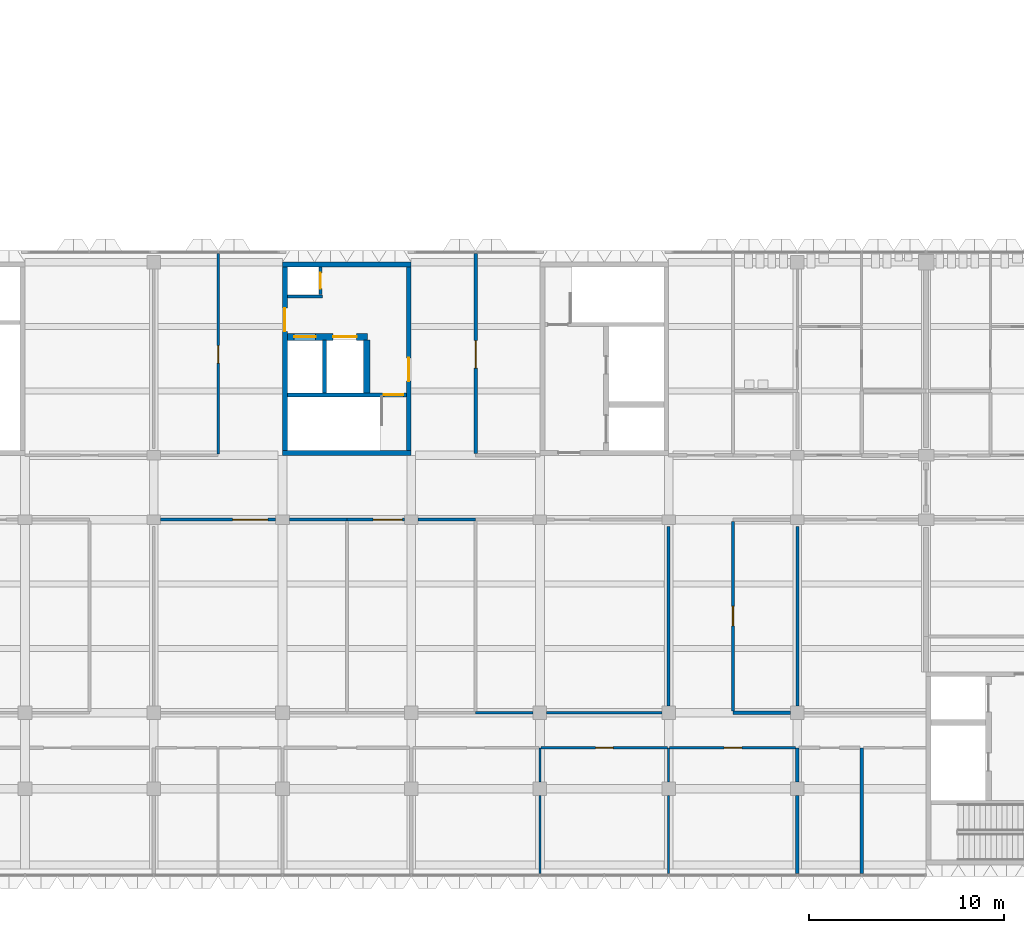
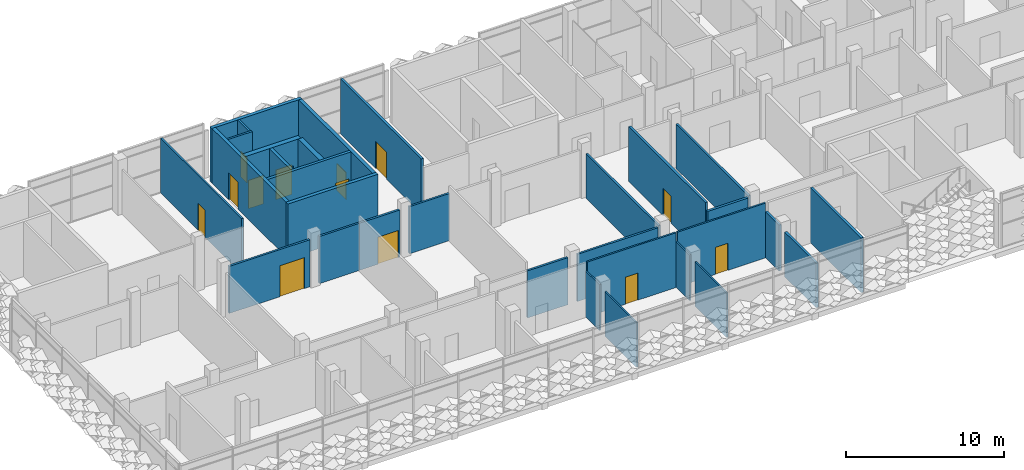
# One storey, part 19 of 61: 31 walls, 13 doors, 13 openings.
"""IFC4 building model written with IfcOpenShell, lengths in metres."""

from ifc_helpers import new_model, si_unit, direction, frame, frame_2d, origin, place, context, subcontext, project, spatial, rectangle, extrude, material, layer, layer_set, type_object, element, fill, save


model = new_model("IFC4")

# Units and contexts
model_context = context("Model", 3, precision=1e-05, world=origin(), true_north=direction((0.0, 1.0)))
body_context = subcontext(model_context, "Body", "Model", "MODEL_VIEW")
ifc_project = project(units=[si_unit("LENGTHUNIT", "METRE"), si_unit("AREAUNIT", "SQUARE_METRE"), si_unit("VOLUMEUNIT", "CUBIC_METRE"), si_unit("PLANEANGLEUNIT", "RADIAN"), si_unit("MASSUNIT", "GRAM", prefix="KILO")], contexts=[model_context])

# Site, building, storey
site_placement = place(None, origin())
site = spatial("IfcSite", under=ifc_project, at=site_placement, CompositionType="ELEMENT")
building_placement = place(site_placement, origin())
building = spatial("IfcBuilding", under=site, at=building_placement, Name="Lantern Court Research Institute", CompositionType="ELEMENT")
storey_placement = place(building_placement, frame((0.0, 0.0, 23.39990234375)))
storey = spatial("IfcBuildingStorey", under=building, at=storey_placement, Name="L05", CompositionType="ELEMENT", Elevation=23.39990234375)

# Wall, opening, door
ifc_material_1 = material(Name="Double-stud acoustic gypsum board partition, mineral wool filled")
ifc_layer_1 = layer(ifc_material_1, 0.175048828125)
ifc_layer_set_1 = layer_set([ifc_layer_1], Name="Double-stud acoustic gypsum board partition, mineral wool filled")
wall_type_1 = type_object("IfcWallType", Name="Acoustic partition 175 EI 60", PredefinedType="PARTITIONING", material=ifc_layer_set_1)
wall_1_placement = place(storey_placement, frame((29.699951171875, 23.550048828125, 0.0), z_axis=(0.0, 0.0, 1.0), x_axis=(0.0, -1.0, 0.0)))
wall_1 = element("IfcWall", 1, at=wall_1_placement, inside=storey, type_object=wall_type_1, Name="Acoustic partition 175 EI 60", PredefinedType="PARTITIONING", context=body_context, shape_type="SweptSolid", body=[
    extrude(rectangle(XDim=10.262451171875, YDim=0.175048828125, at=frame_2d((5.13134765625, 0.0))), origin(), (0.0, 0.0, 1.0), 4.25),
])
opening_1_placement = place(wall_1_placement, frame((4.47509765625, 0.0, 0.0)))
opening_1 = element("IfcOpeningElement", 2, at=opening_1_placement, cuts=wall_1, Name="Opening D4504", PredefinedType="OPENING", context=body_context, shape_type="SweptSolid", body=[
    extrude(rectangle(XDim=1.39990234375, YDim=2.10009765625, at=frame_2d((0.699951171875, 1.050048828125))), frame((0.0, 0.097412109375, 0.0), z_axis=(0.0, -1.0, 0.0), x_axis=(1.0, 0.0, 0.0)), (0.0, 0.0, 1.0), 0.195068359375),
])
ifc_material_2 = material(Name="Solid-core timber door leaf", Category="wood")
ifc_layer_2 = layer(ifc_material_2, 0.053955078125)
ifc_layer_set_2 = layer_set([ifc_layer_2], Name="Solid-core timber door leaf")
door_type_1 = type_object("IfcDoorType", Name="Seminar room door 1400 x 2100 pair FD30S", OperationType="DOUBLE_DOOR_SINGLE_SWING", PredefinedType="DOOR", material=ifc_layer_set_2)
door_1_placement = place(opening_1_placement, origin())
door_1 = element("IfcDoor", 3, at=door_1_placement, inside=storey, type_object=door_type_1, Name="Door D4504", OperationType="DOUBLE_DOOR_SINGLE_SWING", OverallHeight=2.10009765625, OverallWidth=1.39990234375, PredefinedType="DOOR", context=body_context, shape_type="SweptSolid", body=[
    extrude(rectangle(XDim=1.39990234375, YDim=2.10009765625, at=frame_2d((0.699951171875, 1.050048828125))), frame((0.0, 0.02685546875, 0.0), z_axis=(0.0, -1.0, 0.0), x_axis=(1.0, 0.0, 0.0)), (0.0, 0.0, 1.0), 0.053955078125),
])
fill(opening_1, door_1)

# Walls
wall_2_placement = place(storey_placement, frame((46.199951171875, -8.25, 0.0), z_axis=(0.0, 0.0, 1.0), x_axis=(0.0, 1.0, 0.0)))
element("IfcWall", 4, at=wall_2_placement, inside=storey, type_object=wall_type_1, Name="Acoustic partition 175 EI 60", PredefinedType="PARTITIONING", context=body_context, shape_type="SweptSolid", body=[
    extrude(rectangle(XDim=4.0, YDim=0.175048828125, at=frame_2d((2.0, 0.0))), origin(), (0.0, 0.0, 1.0), 3.4501953125),
])
wall_3_placement = place(storey_placement, frame((46.199951171875, -3.550048828125, 0.0), z_axis=(0.0, 0.0, 1.0), x_axis=(0.0, 1.0, 0.0)))
element("IfcWall", 5, at=wall_3_placement, inside=storey, type_object=wall_type_1, Name="Acoustic partition 175 EI 60", PredefinedType="PARTITIONING", context=body_context, shape_type="SweptSolid", body=[
    extrude(rectangle(XDim=1.75, YDim=0.175048828125, at=frame_2d((0.875, 0.0))), origin(), (0.0, 0.0, 1.0), 3.550048828125),
])
wall_4_placement = place(storey_placement, frame((49.5, -8.25, 0.0), z_axis=(0.0, 0.0, 1.0), x_axis=(0.0, 1.0, 0.0)))
element("IfcWall", 6, at=wall_4_placement, inside=storey, type_object=wall_type_1, Name="Acoustic partition 175 EI 60", PredefinedType="PARTITIONING", context=body_context, shape_type="SweptSolid", body=[
    extrude(rectangle(XDim=6.449951171875, YDim=0.175048828125, at=frame_2d((3.22509765625, 0.0))), origin(), (0.0, 0.0, 1.0), 4.25),
])
wall_5_placement = place(storey_placement, frame((45.85009765625, 0.0, 0.0), z_axis=(0.0, 0.0, 1.0), x_axis=(-1.0, 0.0, 0.0)))
element("IfcWall", 7, at=wall_5_placement, inside=storey, type_object=wall_type_1, Name="Acoustic partition 175 EI 60", PredefinedType="PARTITIONING", context=body_context, shape_type="SweptSolid", body=[
    extrude(rectangle(XDim=2.9501953125, YDim=0.175048828125, at=frame_2d((1.47509765625, 0.0))), origin(), (0.0, 0.0, 1.0), 3.650146484375),
])

# Wall, opening, door
wall_6_placement = place(storey_placement, frame((42.89990234375, 9.8125, 0.0), z_axis=(0.0, 0.0, 1.0), x_axis=(0.0, -1.0, 0.0)))
wall_6 = element("IfcWall", 8, at=wall_6_placement, inside=storey, type_object=wall_type_1, Name="Acoustic partition 175 EI 60", PredefinedType="PARTITIONING", context=body_context, shape_type="SweptSolid", body=[
    extrude(rectangle(XDim=9.72509765625, YDim=0.175048828125, at=frame_2d((4.862548828125, 0.0))), origin(), (0.0, 0.0, 1.0), 4.25),
])
opening_2_placement = place(wall_6_placement, frame((4.362548828125, 0.0, 0.0)))
opening_2 = element("IfcOpeningElement", 9, at=opening_2_placement, cuts=wall_6, Name="Opening D4526", PredefinedType="OPENING", context=body_context, shape_type="SweptSolid", body=[
    extrude(rectangle(XDim=1.0, YDim=2.10009765625, at=frame_2d((0.5, 1.050048828125))), frame((0.0, 0.097412109375, 0.0), z_axis=(0.0, -1.0, 0.0), x_axis=(1.0, 0.0, 0.0)), (0.0, 0.0, 1.0), 0.195068359375),
])
ifc_material_3 = material(Name="Solid-core timber door leaf", Category="wood")
ifc_layer_3 = layer(ifc_material_3, 0.053955078125)
ifc_layer_set_3 = layer_set([ifc_layer_3], Name="Solid-core timber door leaf")
door_type_2 = type_object("IfcDoorType", Name="Meeting room door 1000 x 2100 single FD30S", OperationType="NOTDEFINED", PredefinedType="DOOR", material=ifc_layer_set_3)
door_2_placement = place(opening_2_placement, origin())
door_2 = element("IfcDoor", 10, at=door_2_placement, inside=storey, type_object=door_type_2, Name="Door D4526", OperationType="SINGLE_SWING_RIGHT", OverallHeight=2.10009765625, OverallWidth=1.0, PredefinedType="DOOR", context=body_context, shape_type="SweptSolid", body=[
    extrude(rectangle(XDim=1.0, YDim=2.10009765625, at=frame_2d((0.5, 1.050048828125))), frame((0.0, 0.02685546875, 0.0), z_axis=(0.0, -1.0, 0.0), x_axis=(1.0, 0.0, 0.0)), (0.0, 0.0, 1.0), 0.053955078125),
])
fill(opening_2, door_2)

ifc_material_4 = material(Name="Fire-rated gypsum board partition, mineral wool filled")
ifc_layer_4 = layer(ifc_material_4, 0.125)
ifc_layer_set_4 = layer_set([ifc_layer_4], Name="Fire-rated gypsum board partition, mineral wool filled")
wall_type_2 = type_object("IfcWallType", Name="Corridor partition 125 EI 60", PredefinedType="PARTITIONING", material=ifc_layer_set_4)
wall_7_placement = place(storey_placement, frame((16.5, 13.262451171875, 0.0), z_axis=(0.0, 0.0, 1.0), x_axis=(0.0, 1.0, 0.0)))
wall_7 = element("IfcWall", 11, at=wall_7_placement, inside=storey, type_object=wall_type_2, Name="Corridor partition 125 EI 60", PredefinedType="PARTITIONING", context=body_context, shape_type="SweptSolid", body=[
    extrude(rectangle(XDim=10.28759765625, YDim=0.125, at=frame_2d((5.143798828125, 0.0))), origin(), (0.0, 0.0, 1.0), 4.25),
])
opening_3_placement = place(wall_7_placement, frame((4.66259765625, 0.0, 0.0)))
opening_3 = element("IfcOpeningElement", 12, at=opening_3_placement, cuts=wall_7, Name="Opening D4503", PredefinedType="OPENING", context=body_context, shape_type="SweptSolid", body=[
    extrude(rectangle(XDim=0.89990234375, YDim=2.10009765625, at=frame_2d((0.449951171875, 1.050048828125))), frame((0.0, 0.072509765625, 0.0), z_axis=(0.0, -1.0, 0.0), x_axis=(1.0, 0.0, 0.0)), (0.0, 0.0, 1.0), 0.14501953125),
])
ifc_material_5 = material(Name="Solid-core timber door leaf", Category="wood")
ifc_layer_5 = layer(ifc_material_5, 0.053955078125)
ifc_layer_set_5 = layer_set([ifc_layer_5], Name="Solid-core timber door leaf")
door_type_3 = type_object("IfcDoorType", Name="Office door 900 x 2100 single FD30S", OperationType="NOTDEFINED", PredefinedType="DOOR", material=ifc_layer_set_5)
door_3_placement = place(opening_3_placement, origin())
door_3 = element("IfcDoor", 13, at=door_3_placement, inside=storey, type_object=door_type_3, Name="Door D4503", OperationType="SINGLE_SWING_LEFT", OverallHeight=2.10009765625, OverallWidth=0.89990234375, PredefinedType="DOOR", context=body_context, shape_type="SweptSolid", body=[
    extrude(rectangle(XDim=0.89990234375, YDim=2.10009765625, at=frame_2d((0.449951171875, 1.050048828125))), frame((0.0, 0.02685546875, 0.0), z_axis=(0.0, -1.0, 0.0), x_axis=(1.0, 0.0, 0.0)), (0.0, 0.0, 1.0), 0.053955078125),
])
fill(opening_3, door_3)

wall_8_placement = place(storey_placement, frame((39.544921875, -1.800048828125, 0.0), z_axis=(0.0, 0.0, 1.0), x_axis=(-1.0, 0.0, 0.0)))
wall_8 = element("IfcWall", 14, at=wall_8_placement, inside=storey, type_object=wall_type_2, Name="Corridor partition 125 EI 60", PredefinedType="PARTITIONING", context=body_context, shape_type="SweptSolid", body=[
    extrude(rectangle(XDim=6.489990234375, YDim=0.125, at=frame_2d((3.2451171875, 0.0))), origin(), (0.0, 0.0, 1.0), 4.25),
])
opening_4_placement = place(wall_8_placement, frame((2.794921875, 0.0, 0.0)))
opening_4 = element("IfcOpeningElement", 15, at=opening_4_placement, cuts=wall_8, Name="Opening D4518", PredefinedType="OPENING", context=body_context, shape_type="SweptSolid", body=[
    extrude(rectangle(XDim=0.89990234375, YDim=2.10009765625, at=frame_2d((0.449951171875, 1.050048828125))), frame((0.0, 0.072509765625, 0.0), z_axis=(0.0, -1.0, 0.0), x_axis=(1.0, 0.0, 0.0)), (0.0, 0.0, 1.0), 0.14501953125),
])
door_4_placement = place(opening_4_placement, origin())
door_4 = element("IfcDoor", 16, at=door_4_placement, inside=storey, type_object=door_type_3, Name="Door D4518", OperationType="SINGLE_SWING_LEFT", OverallHeight=2.10009765625, OverallWidth=0.89990234375, PredefinedType="DOOR", context=body_context, shape_type="SweptSolid", body=[
    extrude(rectangle(XDim=0.89990234375, YDim=2.10009765625, at=frame_2d((0.449951171875, 1.050048828125))), frame((0.0, 0.02685546875, 0.0), z_axis=(0.0, -1.0, 0.0), x_axis=(1.0, 0.0, 0.0)), (0.0, 0.0, 1.0), 0.053955078125),
])
fill(opening_4, door_4)

wall_9_placement = place(storey_placement, frame((46.112548828125, -1.800048828125, 0.0), z_axis=(0.0, 0.0, 1.0), x_axis=(-1.0, 0.0, 0.0)))
wall_9 = element("IfcWall", 17, at=wall_9_placement, inside=storey, type_object=wall_type_2, Name="Corridor partition 125 EI 60", PredefinedType="PARTITIONING", context=body_context, shape_type="SweptSolid", body=[
    extrude(rectangle(XDim=6.45751953125, YDim=0.125, at=frame_2d((3.228759765625, 0.0))), origin(), (0.0, 0.0, 1.0), 4.25),
])
opening_5_placement = place(wall_9_placement, frame((2.762451171875, 0.0, 0.0)))
opening_5 = element("IfcOpeningElement", 18, at=opening_5_placement, cuts=wall_9, Name="Opening D4519", PredefinedType="OPENING", context=body_context, shape_type="SweptSolid", body=[
    extrude(rectangle(XDim=0.89990234375, YDim=2.10009765625, at=frame_2d((0.449951171875, 1.050048828125))), frame((0.0, 0.072509765625, 0.0), z_axis=(0.0, -1.0, 0.0), x_axis=(1.0, 0.0, 0.0)), (0.0, 0.0, 1.0), 0.14501953125),
])
door_5_placement = place(opening_5_placement, origin())
door_5 = element("IfcDoor", 19, at=door_5_placement, inside=storey, type_object=door_type_3, Name="Door D4519", OperationType="SINGLE_SWING_LEFT", OverallHeight=2.10009765625, OverallWidth=0.89990234375, PredefinedType="DOOR", context=body_context, shape_type="SweptSolid", body=[
    extrude(rectangle(XDim=0.89990234375, YDim=2.10009765625, at=frame_2d((0.449951171875, 1.050048828125))), frame((0.0, 0.02685546875, 0.0), z_axis=(0.0, -1.0, 0.0), x_axis=(1.0, 0.0, 0.0)), (0.0, 0.0, 1.0), 0.053955078125),
])
fill(opening_5, door_5)

ifc_material_6 = material(Name="Fire-rated gypsum board partition, mineral wool filled")
ifc_layer_6 = layer(ifc_material_6, 0.14990234375)
ifc_layer_set_6 = layer_set([ifc_layer_6], Name="Fire-rated gypsum board partition, mineral wool filled")
wall_type_3 = type_object("IfcWallType", Name="Laboratory partition 150 EI 60", PredefinedType="PARTITIONING", material=ifc_layer_set_6)
wall_10_placement = place(storey_placement, frame((13.550048828125, 9.89990234375, 0.0), z_axis=(0.0, 0.0, 1.0), x_axis=(1.0, 0.0, 0.0)))
wall_10 = element("IfcWall", 20, at=wall_10_placement, inside=storey, type_object=wall_type_3, Name="Laboratory partition 150 EI 60", PredefinedType="PARTITIONING", context=body_context, shape_type="SweptSolid", body=[
    extrude(rectangle(XDim=5.89990234375, YDim=0.14990234375, at=frame_2d((2.949951171875, 0.0))), origin(), (0.0, 0.0, 1.0), 3.650146484375),
])
opening_6_placement = place(wall_10_placement, frame((3.699951171875, 0.0, 0.0)))
opening_6 = element("IfcOpeningElement", 21, at=opening_6_placement, cuts=wall_10, Name="Opening D4523", PredefinedType="OPENING", context=body_context, shape_type="SweptSolid", body=[
    extrude(rectangle(XDim=1.800048828125, YDim=2.39990234375, at=frame_2d((0.89990234375, 1.199951171875))), frame((0.0, 0.0849609375, 0.0), z_axis=(0.0, -1.0, 0.0), x_axis=(1.0, 0.0, 0.0)), (0.0, 0.0, 1.0), 0.169921875),
])
ifc_material_7 = material(Name="Solid-core timber door leaf with vision panel", Category="wood")
ifc_layer_7 = layer(ifc_material_7, 0.053955078125)
ifc_layer_set_7 = layer_set([ifc_layer_7], Name="Solid-core timber door leaf with vision panel")
door_type_4 = type_object("IfcDoorType", Name="Laboratory equipment door 1800 x 2400 pair FD30S", OperationType="DOUBLE_DOOR_SINGLE_SWING", PredefinedType="DOOR", material=ifc_layer_set_7)
door_6_placement = place(opening_6_placement, origin())
door_6 = element("IfcDoor", 22, at=door_6_placement, inside=storey, type_object=door_type_4, Name="Door D4523", OperationType="DOUBLE_DOOR_SINGLE_SWING", OverallHeight=2.39990234375, OverallWidth=1.800048828125, PredefinedType="DOOR", context=body_context, shape_type="SweptSolid", body=[
    extrude(rectangle(XDim=1.800048828125, YDim=2.39990234375, at=frame_2d((0.89990234375, 1.199951171875))), frame((0.0, 0.02685546875, 0.0), z_axis=(0.0, -1.0, 0.0), x_axis=(1.0, 0.0, 0.0)), (0.0, 0.0, 1.0), 0.053955078125),
])
fill(opening_6, door_6)

# Wall
wall_11_placement = place(storey_placement, frame((20.14990234375, 9.89990234375, 0.0), z_axis=(0.0, 0.0, 1.0), x_axis=(1.0, 0.0, 0.0)))
element("IfcWall", 23, at=wall_11_placement, inside=storey, type_object=wall_type_3, Name="Laboratory partition 150 EI 60", PredefinedType="PARTITIONING", context=body_context, shape_type="SweptSolid", body=[
    extrude(rectangle(XDim=2.9501953125, YDim=0.14990234375, at=frame_2d((1.47509765625, 0.0))), origin(), (0.0, 0.0, 1.0), 3.650146484375),
])

# Wall, opening, door
wall_12_placement = place(storey_placement, frame((23.10009765625, 9.89990234375, 0.0), z_axis=(0.0, 0.0, 1.0), x_axis=(1.0, 0.0, 0.0)))
wall_12 = element("IfcWall", 24, at=wall_12_placement, inside=storey, type_object=wall_type_3, Name="Laboratory partition 150 EI 60", PredefinedType="PARTITIONING", context=body_context, shape_type="SweptSolid", body=[
    extrude(rectangle(XDim=2.949951171875, YDim=0.14990234375, at=frame_2d((1.47509765625, 0.0))), origin(), (0.0, 0.0, 1.0), 3.650146484375),
])
opening_7_placement = place(wall_12_placement, frame((1.35009765625, 0.0, 0.0)))
opening_7 = element("IfcOpeningElement", 25, at=opening_7_placement, cuts=wall_12, Name="Opening D4524", PredefinedType="OPENING", context=body_context, shape_type="SweptSolid", body=[
    extrude(rectangle(XDim=1.5, YDim=2.10009765625, at=frame_2d((0.75, 1.050048828125))), frame((0.0, 0.0849609375, 0.0), z_axis=(0.0, -1.0, 0.0), x_axis=(1.0, 0.0, 0.0)), (0.0, 0.0, 1.0), 0.169921875),
])
ifc_material_8 = material(Name="Solid-core timber door leaf with vision panel", Category="wood")
ifc_layer_8 = layer(ifc_material_8, 0.053955078125)
ifc_layer_set_8 = layer_set([ifc_layer_8], Name="Solid-core timber door leaf with vision panel")
door_type_5 = type_object("IfcDoorType", Name="Laboratory double door 1500 x 2100 pair FD30S", OperationType="DOUBLE_DOOR_SINGLE_SWING", PredefinedType="DOOR", material=ifc_layer_set_8)
door_7_placement = place(opening_7_placement, origin())
door_7 = element("IfcDoor", 26, at=door_7_placement, inside=storey, type_object=door_type_5, Name="Door D4524", OperationType="DOUBLE_DOOR_SINGLE_SWING", OverallHeight=2.10009765625, OverallWidth=1.5, PredefinedType="DOOR", context=body_context, shape_type="SweptSolid", body=[
    extrude(rectangle(XDim=1.5, YDim=2.10009765625, at=frame_2d((0.75, 1.050048828125))), frame((0.0, 0.02685546875, 0.0), z_axis=(0.0, -1.0, 0.0), x_axis=(1.0, 0.0, 0.0)), (0.0, 0.0, 1.0), 0.053955078125),
])
fill(opening_7, door_7)

# Walls
wall_13_placement = place(storey_placement, frame((26.75, 9.89990234375, 0.0), z_axis=(0.0, 0.0, 1.0), x_axis=(1.0, 0.0, 0.0)))
element("IfcWall", 27, at=wall_13_placement, inside=storey, type_object=wall_type_3, Name="Laboratory partition 150 EI 60", PredefinedType="PARTITIONING", context=body_context, shape_type="SweptSolid", body=[
    extrude(rectangle(XDim=2.949951171875, YDim=0.14990234375, at=frame_2d((1.47509765625, 0.0))), origin(), (0.0, 0.0, 1.0), 3.650146484375),
])
wall_14_placement = place(storey_placement, frame((39.25, 0.0, 0.0), z_axis=(0.0, 0.0, 1.0), x_axis=(-1.0, 0.0, 0.0)))
element("IfcWall", 28, at=wall_14_placement, inside=storey, type_object=wall_type_3, Name="Laboratory partition 150 EI 60", PredefinedType="PARTITIONING", context=body_context, shape_type="SweptSolid", body=[
    extrude(rectangle(XDim=5.89990234375, YDim=0.14990234375, at=frame_2d((2.949951171875, 0.0))), origin(), (0.0, 0.0, 1.0), 3.650146484375),
])
wall_15_placement = place(storey_placement, frame((32.64990234375, 0.0, 0.0), z_axis=(0.0, 0.0, 1.0), x_axis=(-1.0, 0.0, 0.0)))
element("IfcWall", 29, at=wall_15_placement, inside=storey, type_object=wall_type_3, Name="Laboratory partition 150 EI 60", PredefinedType="PARTITIONING", context=body_context, shape_type="SweptSolid", body=[
    extrude(rectangle(XDim=2.949951171875, YDim=0.14990234375, at=frame_2d((1.47509765625, 0.0))), origin(), (0.0, 0.0, 1.0), 3.650146484375),
])
for number, where, z_axis, x_axis, name in (
    (30, (39.60009765625, 0.35009765625, 0.0), (0.0, 0.0, 1.0), (0.0, 1.0, 0.0), "Laboratory partition 150 EI 60"),
    (31, (46.199951171875, 0.35009765625, 0.0), (0.0, 0.0, 1.0), (0.0, 1.0, 0.0), "Laboratory partition 150 EI 60"),
):
    element("IfcWall", number, at=place(storey_placement, frame(where, z_axis=z_axis, x_axis=x_axis)), inside=storey, type_object=wall_type_3, Name=name, PredefinedType="PARTITIONING", context=body_context, shape_type="SweptSolid", body=[
        extrude(rectangle(XDim=9.199951171875, YDim=0.14990234375, at=frame_2d((4.60009765625, 0.0))), origin(), (0.0, 0.0, 1.0), 3.4501953125),
    ])
ifc_material_9 = material(Name="Fire-rated gypsum board partition, mineral wool filled")
ifc_layer_9 = layer(ifc_material_9, 0.110107421875)
ifc_layer_set_9 = layer_set([ifc_layer_9], Name="Fire-rated gypsum board partition, mineral wool filled")
wall_type_4 = type_object("IfcWallType", Name="Office partition 110 EI 30", PredefinedType="PARTITIONING", material=ifc_layer_set_9)
wall_16_placement = place(storey_placement, frame((33.0, -8.25, 0.0), z_axis=(0.0, 0.0, 1.0), x_axis=(0.0, 1.0, 0.0)))
element("IfcWall", 32, at=wall_16_placement, inside=storey, type_object=wall_type_4, Name="Office partition 110 EI 30", PredefinedType="PARTITIONING", context=body_context, shape_type="SweptSolid", body=[
    extrude(rectangle(XDim=4.0, YDim=0.110107421875, at=frame_2d((2.0, 0.0))), origin(), (0.0, 0.0, 1.0), 3.4501953125),
])
wall_17_placement = place(storey_placement, frame((33.0, -3.550048828125, 0.0), z_axis=(0.0, 0.0, 1.0), x_axis=(0.0, 1.0, 0.0)))
element("IfcWall", 33, at=wall_17_placement, inside=storey, type_object=wall_type_4, Name="Office partition 110 EI 30", PredefinedType="PARTITIONING", context=body_context, shape_type="SweptSolid", body=[
    extrude(rectangle(XDim=1.75, YDim=0.110107421875, at=frame_2d((0.875, 0.0))), origin(), (0.0, 0.0, 1.0), 3.550048828125),
])
wall_18_placement = place(storey_placement, frame((39.60009765625, -8.25, 0.0), z_axis=(0.0, 0.0, 1.0), x_axis=(0.0, 1.0, 0.0)))
element("IfcWall", 34, at=wall_18_placement, inside=storey, type_object=wall_type_4, Name="Office partition 110 EI 30", PredefinedType="PARTITIONING", context=body_context, shape_type="SweptSolid", body=[
    extrude(rectangle(XDim=4.0, YDim=0.110107421875, at=frame_2d((2.0, 0.0))), origin(), (0.0, 0.0, 1.0), 3.4501953125),
])
wall_19_placement = place(storey_placement, frame((39.60009765625, -3.550048828125, 0.0), z_axis=(0.0, 0.0, 1.0), x_axis=(0.0, 1.0, 0.0)))
element("IfcWall", 35, at=wall_19_placement, inside=storey, type_object=wall_type_4, Name="Office partition 110 EI 30", PredefinedType="PARTITIONING", context=body_context, shape_type="SweptSolid", body=[
    extrude(rectangle(XDim=1.75, YDim=0.110107421875, at=frame_2d((0.875, 0.0))), origin(), (0.0, 0.0, 1.0), 3.550048828125),
])
ifc_material_10 = material(Name="Concrete C40/50", Category="concrete")
ifc_layer_10 = layer(ifc_material_10, 0.25)
ifc_layer_set_10 = layer_set([ifc_layer_10], Name="Concrete C40/50")
wall_type_5 = type_object("IfcWallType", Name="RC core wall 250", PredefinedType="SHEAR", material=ifc_layer_set_10)
wall_20_placement = place(storey_placement, frame((19.800048828125, 13.324951171875, 0.0), z_axis=(0.0, 0.0, 1.0), x_axis=(1.0, 0.0, 0.0)))
element("IfcWall", 36, at=wall_20_placement, inside=storey, type_object=wall_type_5, Name="South wall of core BC-M", PredefinedType="SHEAR", context=body_context, shape_type="SweptSolid", body=[
    extrude(rectangle(XDim=6.599853515625, YDim=0.25, at=frame_2d((3.2998046875, 0.0))), origin(), (0.0, 0.0, 1.0), 4.25),
])

# Wall, opening, door
wall_21_placement = place(storey_placement, frame((19.925048828125, 13.449951171875, 0.0), z_axis=(0.0, 0.0, 1.0), x_axis=(0.0, 1.0, 0.0)))
wall_21 = element("IfcWall", 37, at=wall_21_placement, inside=storey, type_object=wall_type_5, Name="West wall of core BC-M", PredefinedType="SHEAR", context=body_context, shape_type="SweptSolid", body=[
    extrude(rectangle(XDim=9.400146484375, YDim=0.25, at=frame_2d((4.7001953125, 0.0))), origin(), (0.0, 0.0, 1.0), 4.25),
])
opening_8_placement = place(wall_21_placement, frame((6.10009765625, 0.0, 0.0)))
opening_8 = element("IfcOpeningElement", 38, at=opening_8_placement, cuts=wall_21, Name="Opening D7061", PredefinedType="OPENING", context=body_context, shape_type="SweptSolid", body=[
    extrude(rectangle(XDim=1.199951171875, YDim=2.10009765625, at=frame_2d((0.60009765625, 1.050048828125))), frame((0.0, 0.135009765625, 0.0), z_axis=(0.0, -1.0, 0.0), x_axis=(1.0, 0.0, 0.0)), (0.0, 0.0, 1.0), 0.27001953125),
])
ifc_material_11 = material(Name="Steel fire door leaf with smoke seals", Category="steel")
door_type_6 = type_object("IfcDoorType", Name="Door 1200 x 2100 fire rated FD60S", OperationType="NOTDEFINED", PredefinedType="DOOR", material=ifc_material_11)
door_8_placement = place(opening_8_placement, origin())
door_8 = element("IfcDoor", 39, at=door_8_placement, inside=storey, type_object=door_type_6, Name="Lobby door", OperationType="SINGLE_SWING_LEFT", OverallHeight=2.10009765625, OverallWidth=1.199951171875, PredefinedType="DOOR", context=body_context, shape_type="SweptSolid", body=[
    extrude(rectangle(XDim=1.199951171875, YDim=2.10009765625, at=frame_2d((0.60009765625, 1.050048828125))), frame((0.0, 0.02490234375, 0.0), z_axis=(0.0, -1.0, 0.0), x_axis=(1.0, 0.0, 0.0)), (0.0, 0.0, 1.0), 0.050048828125),
])
fill(opening_8, door_8)

wall_22_placement = place(storey_placement, frame((26.27490234375, 13.449951171875, 0.0), z_axis=(0.0, 0.0, 1.0), x_axis=(0.0, 1.0, 0.0)))
wall_22 = element("IfcWall", 40, at=wall_22_placement, inside=storey, type_object=wall_type_5, Name="East wall of core BC-M", PredefinedType="SHEAR", context=body_context, shape_type="SweptSolid", body=[
    extrude(rectangle(XDim=9.400146484375, YDim=0.25, at=frame_2d((4.7001953125, 0.0))), origin(), (0.0, 0.0, 1.0), 4.25),
])
opening_9_placement = place(wall_22_placement, frame((3.550048828125, 0.0, 0.0)))
opening_9 = element("IfcOpeningElement", 41, at=opening_9_placement, cuts=wall_22, Name="Opening D7060", PredefinedType="OPENING", context=body_context, shape_type="SweptSolid", body=[
    extrude(rectangle(XDim=1.199951171875, YDim=2.10009765625, at=frame_2d((0.60009765625, 1.050048828125))), frame((0.0, 0.135009765625, 0.0), z_axis=(0.0, -1.0, 0.0), x_axis=(1.0, 0.0, 0.0)), (0.0, 0.0, 1.0), 0.27001953125),
])
door_9_placement = place(opening_9_placement, origin())
door_9 = element("IfcDoor", 42, at=door_9_placement, inside=storey, type_object=door_type_6, Name="Lobby door", OperationType="SINGLE_SWING_RIGHT", OverallHeight=2.10009765625, OverallWidth=1.199951171875, PredefinedType="DOOR", context=body_context, shape_type="SweptSolid", body=[
    extrude(rectangle(XDim=1.199951171875, YDim=2.10009765625, at=frame_2d((0.60009765625, 1.050048828125))), frame((0.0, 0.02490234375, 0.0), z_axis=(0.0, -1.0, 0.0), x_axis=(1.0, 0.0, 0.0)), (0.0, 0.0, 1.0), 0.050048828125),
])
fill(opening_9, door_9)

# Walls
ifc_material_12 = material(Name="Concrete C40/50", Category="concrete")
ifc_layer_11 = layer(ifc_material_12, 0.25)
ifc_layer_set_11 = layer_set([ifc_layer_11], Name="Concrete C40/50")
wall_type_6 = type_object("IfcWallType", Name="RC core wall 250 facade", PredefinedType="SHEAR", material=ifc_layer_set_11)
wall_23_placement = place(storey_placement, frame((19.800048828125, 22.97509765625, 0.0), z_axis=(0.0, 0.0, 1.0), x_axis=(1.0, 0.0, 0.0)))
element("IfcWall", 43, at=wall_23_placement, inside=storey, type_object=wall_type_6, Name="North wall of core BC-M", PredefinedType="SHEAR", context=body_context, shape_type="SweptSolid", body=[
    extrude(rectangle(XDim=6.599853515625, YDim=0.25, at=frame_2d((3.2998046875, 0.0))), origin(), (0.0, 0.0, 1.0), 4.25),
])
ifc_material_13 = material(Name="Concrete C40/50", Category="concrete")
ifc_layer_12 = layer(ifc_material_13, 0.14990234375)
ifc_layer_set_12 = layer_set([ifc_layer_12], Name="Concrete C40/50")
wall_type_7 = type_object("IfcWallType", Name="RC shaft wall 150", PredefinedType="SHEAR", material=ifc_layer_set_12)
wall_24_placement = place(storey_placement, frame((20.050048828125, 21.35009765625, 0.0), z_axis=(0.0, 0.0, 1.0), x_axis=(1.0, 0.0, 0.0)))
element("IfcWall", 44, at=wall_24_placement, inside=storey, type_object=wall_type_7, Name="Riser wall of core BC-M", PredefinedType="SHEAR", context=body_context, shape_type="SweptSolid", body=[
    extrude(rectangle(XDim=1.800048828125, YDim=0.14990234375, at=frame_2d((0.89990234375, 0.0))), origin(), (0.0, 0.0, 1.0), 4.25),
])

# Wall, opening, door
wall_25_placement = place(storey_placement, frame((21.75, 21.449951171875, 0.0), z_axis=(0.0, 0.0, 1.0), x_axis=(0.0, 1.0, 0.0)))
wall_25 = element("IfcWall", 45, at=wall_25_placement, inside=storey, type_object=wall_type_7, Name="Riser wall of core BC-M", PredefinedType="SHEAR", context=body_context, shape_type="SweptSolid", body=[
    extrude(rectangle(XDim=1.400146484375, YDim=0.14990234375, at=frame_2d((0.7001953125, 0.0))), origin(), (0.0, 0.0, 1.0), 4.25),
])
opening_10_placement = place(wall_25_placement, frame((0.300048828125, 0.0, 0.0)))
opening_10 = element("IfcOpeningElement", 46, at=opening_10_placement, cuts=wall_25, Name="Opening D7063", PredefinedType="OPENING", context=body_context, shape_type="SweptSolid", body=[
    extrude(rectangle(XDim=0.800048828125, YDim=2.0, at=frame_2d((0.39990234375, 1.0))), frame((0.0, 0.0849609375, 0.0), z_axis=(0.0, -1.0, 0.0), x_axis=(1.0, 0.0, 0.0)), (0.0, 0.0, 1.0), 0.169921875),
])
ifc_material_14 = material(Name="Steel fire door leaf", Category="steel")
door_type_7 = type_object("IfcDoorType", Name="Door 800 x 2000 fire rated FD60", OperationType="NOTDEFINED", PredefinedType="DOOR", material=ifc_material_14)
door_10_placement = place(opening_10_placement, origin())
door_10 = element("IfcDoor", 47, at=door_10_placement, inside=storey, type_object=door_type_7, Name="Riser door", OperationType="SINGLE_SWING_LEFT", OverallHeight=2.0, OverallWidth=0.800048828125, PredefinedType="DOOR", context=body_context, shape_type="SweptSolid", body=[
    extrude(rectangle(XDim=0.800048828125, YDim=2.0, at=frame_2d((0.39990234375, 1.0))), frame((0.0, 0.02490234375, 0.0), z_axis=(0.0, -1.0, 0.0), x_axis=(1.0, 0.0, 0.0)), (0.0, 0.0, 1.0), 0.050048828125),
])
fill(opening_10, door_10)

ifc_material_15 = material(Name="Concrete C40/50", Category="concrete")
ifc_layer_13 = layer(ifc_material_15, 0.199951171875)
ifc_layer_set_13 = layer_set([ifc_layer_13], Name="Concrete C40/50")
wall_type_8 = type_object("IfcWallType", Name="RC shaft wall 200", PredefinedType="SHEAR", material=ifc_layer_set_13)
wall_26_placement = place(storey_placement, frame((20.050048828125, 16.300048828125, 0.0), z_axis=(0.0, 0.0, 1.0), x_axis=(1.0, 0.0, 0.0)))
wall_26 = element("IfcWall", 48, at=wall_26_placement, inside=storey, type_object=wall_type_8, Name="Stair wall of core BC-M", PredefinedType="SHEAR", context=body_context, shape_type="SweptSolid", body=[
    extrude(rectangle(XDim=6.099853515625, YDim=0.199951171875, at=frame_2d((3.0498046875, 0.0))), origin(), (0.0, 0.0, 1.0), 4.25),
])
opening_11_placement = place(wall_26_placement, frame((4.949951171875, 0.0, 0.0)))
opening_11 = element("IfcOpeningElement", 49, at=opening_11_placement, cuts=wall_26, Name="Opening D7062", PredefinedType="OPENING", context=body_context, shape_type="SweptSolid", body=[
    extrude(rectangle(XDim=1.0, YDim=2.199951171875, at=frame_2d((0.5, 1.10009765625))), frame((0.0, 0.10986328125, 0.0), z_axis=(0.0, -1.0, 0.0), x_axis=(1.0, 0.0, 0.0)), (0.0, 0.0, 1.0), 0.219970703125),
])
ifc_material_16 = material(Name="Steel fire door leaf with smoke seals", Category="steel")
door_type_8 = type_object("IfcDoorType", Name="Door 1000 x 2200 fire rated FD60S", OperationType="NOTDEFINED", PredefinedType="DOOR", material=ifc_material_16)
door_11_placement = place(opening_11_placement, origin())
door_11 = element("IfcDoor", 50, at=door_11_placement, inside=storey, type_object=door_type_8, Name="Stair door", OperationType="SINGLE_SWING_RIGHT", OverallHeight=2.199951171875, OverallWidth=1.0, PredefinedType="DOOR", context=body_context, shape_type="SweptSolid", body=[
    extrude(rectangle(XDim=1.0, YDim=2.199951171875, at=frame_2d((0.5, 1.10009765625))), frame((0.0, 0.02490234375, 0.0), z_axis=(0.0, -1.0, 0.0), x_axis=(1.0, 0.0, 0.0)), (0.0, 0.0, 1.0), 0.050048828125),
])
fill(opening_11, door_11)

# Wall
wall_27_placement = place(storey_placement, frame((21.949951171875, 16.39990234375, 0.0), z_axis=(0.0, 0.0, 1.0), x_axis=(0.0, 1.0, 0.0)))
element("IfcWall", 51, at=wall_27_placement, inside=storey, type_object=wall_type_8, Name="Lift shaft wall of core BC-M", PredefinedType="SHEAR", context=body_context, shape_type="SweptSolid", body=[
    extrude(rectangle(XDim=2.7001953125, YDim=0.199951171875, at=frame_2d((1.35009765625, 0.0))), origin(), (0.0, 0.0, 1.0), 4.25),
])

# Wall, openings, doors
ifc_material_17 = material(Name="Concrete C40/50", Category="concrete")
ifc_layer_14 = layer(ifc_material_17, 0.35009765625)
ifc_layer_set_14 = layer_set([ifc_layer_14], Name="Concrete C40/50")
wall_type_9 = type_object("IfcWallType", Name="RC shaft wall 350", PredefinedType="SHEAR", material=ifc_layer_set_14)
wall_28_placement = place(storey_placement, frame((20.050048828125, 19.27490234375, 0.0), z_axis=(0.0, 0.0, 1.0), x_axis=(1.0, 0.0, 0.0)))
wall_28 = element("IfcWall", 52, at=wall_28_placement, inside=storey, type_object=wall_type_9, Name="Lift shaft wall of core BC-M", PredefinedType="SHEAR", context=body_context, shape_type="SweptSolid", body=[
    extrude(rectangle(XDim=4.099853515625, YDim=0.35009765625, at=frame_2d((2.0498046875, 0.0))), origin(), (0.0, 0.0, 1.0), 4.25),
])
opening_12_placement = place(wall_28_placement, frame((0.35009765625, 0.0, 0.0)))
opening_12 = element("IfcOpeningElement", 53, at=opening_12_placement, cuts=wall_28, Name="Opening D7064", PredefinedType="OPENING", context=body_context, shape_type="SweptSolid", body=[
    extrude(rectangle(XDim=1.10009765625, YDim=2.199951171875, at=frame_2d((0.550048828125, 1.10009765625))), frame((0.0, 0.18505859375, 0.0), z_axis=(0.0, -1.0, 0.0), x_axis=(1.0, 0.0, 0.0)), (0.0, 0.0, 1.0), 0.3701171875),
])
opening_13_placement = place(wall_28_placement, frame((2.35009765625, 0.0, 0.0)))
opening_13 = element("IfcOpeningElement", 54, at=opening_13_placement, cuts=wall_28, Name="Opening D7065", PredefinedType="OPENING", context=body_context, shape_type="SweptSolid", body=[
    extrude(rectangle(XDim=1.199951171875, YDim=2.300048828125, at=frame_2d((0.60009765625, 1.14990234375))), frame((0.0, 0.18505859375, 0.0), z_axis=(0.0, -1.0, 0.0), x_axis=(1.0, 0.0, 0.0)), (0.0, 0.0, 1.0), 0.3701171875),
])
ifc_material_18 = material(Name="Stainless steel landing door panels", Category="steel")
door_type_9 = type_object("IfcDoorType", Name="Lift landing door 1100 x 2200 sliding FD60", OperationType="DOUBLE_DOOR_SLIDING", PredefinedType="NOTDEFINED", material=ifc_material_18)
door_12_placement = place(opening_12_placement, origin())
door_12 = element("IfcDoor", 55, at=door_12_placement, inside=storey, type_object=door_type_9, Name="Landing door", OperationType="DOUBLE_DOOR_SLIDING", OverallHeight=2.199951171875, OverallWidth=1.10009765625, PredefinedType="NOTDEFINED", context=body_context, shape_type="SweptSolid", body=[
    extrude(rectangle(XDim=1.10009765625, YDim=2.199951171875, at=frame_2d((0.550048828125, 1.10009765625))), frame((0.0, 0.02490234375, 0.0), z_axis=(0.0, -1.0, 0.0), x_axis=(1.0, 0.0, 0.0)), (0.0, 0.0, 1.0), 0.050048828125),
])
fill(opening_12, door_12)
ifc_material_19 = material(Name="Stainless steel landing door panels", Category="steel")
door_type_10 = type_object("IfcDoorType", Name="Lift landing door 1200 x 2300 sliding FD60", OperationType="DOUBLE_DOOR_SLIDING", PredefinedType="NOTDEFINED", material=ifc_material_19)
door_13_placement = place(opening_13_placement, origin())
door_13 = element("IfcDoor", 56, at=door_13_placement, inside=storey, type_object=door_type_10, Name="Landing door", OperationType="DOUBLE_DOOR_SLIDING", OverallHeight=2.300048828125, OverallWidth=1.199951171875, PredefinedType="NOTDEFINED", context=body_context, shape_type="SweptSolid", body=[
    extrude(rectangle(XDim=1.199951171875, YDim=2.300048828125, at=frame_2d((0.60009765625, 1.14990234375))), frame((0.0, 0.02490234375, 0.0), z_axis=(0.0, -1.0, 0.0), x_axis=(1.0, 0.0, 0.0)), (0.0, 0.0, 1.0), 0.050048828125),
])
fill(opening_13, door_13)

# Wall
wall_29_placement = place(storey_placement, frame((24.125, 16.39990234375, 0.0), z_axis=(0.0, 0.0, 1.0), x_axis=(0.0, 1.0, 0.0)))
element("IfcWall", 57, at=wall_29_placement, inside=storey, type_object=wall_type_9, Name="Lift shaft wall of core BC-M", PredefinedType="SHEAR", context=body_context, shape_type="SweptSolid", body=[
    extrude(rectangle(XDim=2.7001953125, YDim=0.35009765625, at=frame_2d((1.35009765625, 0.0))), origin(), (0.0, 0.0, 1.0), 4.25),
])

save(model, "model.ifc")
